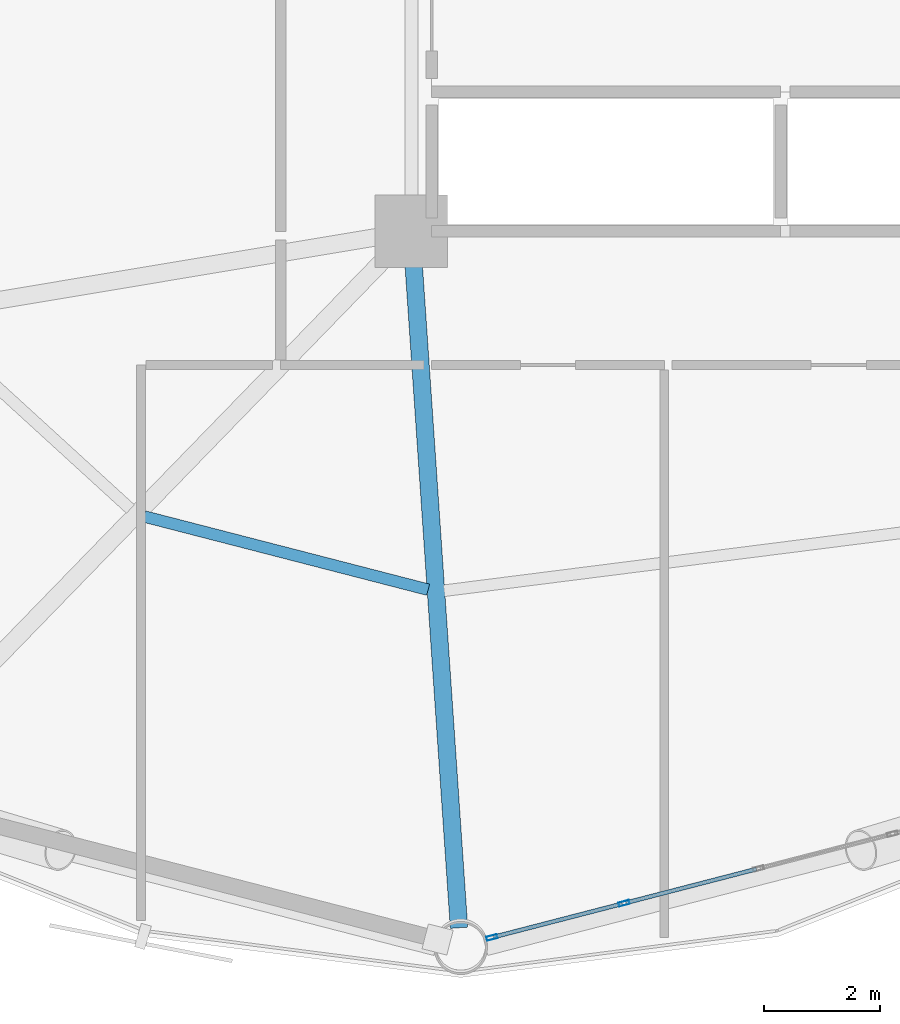
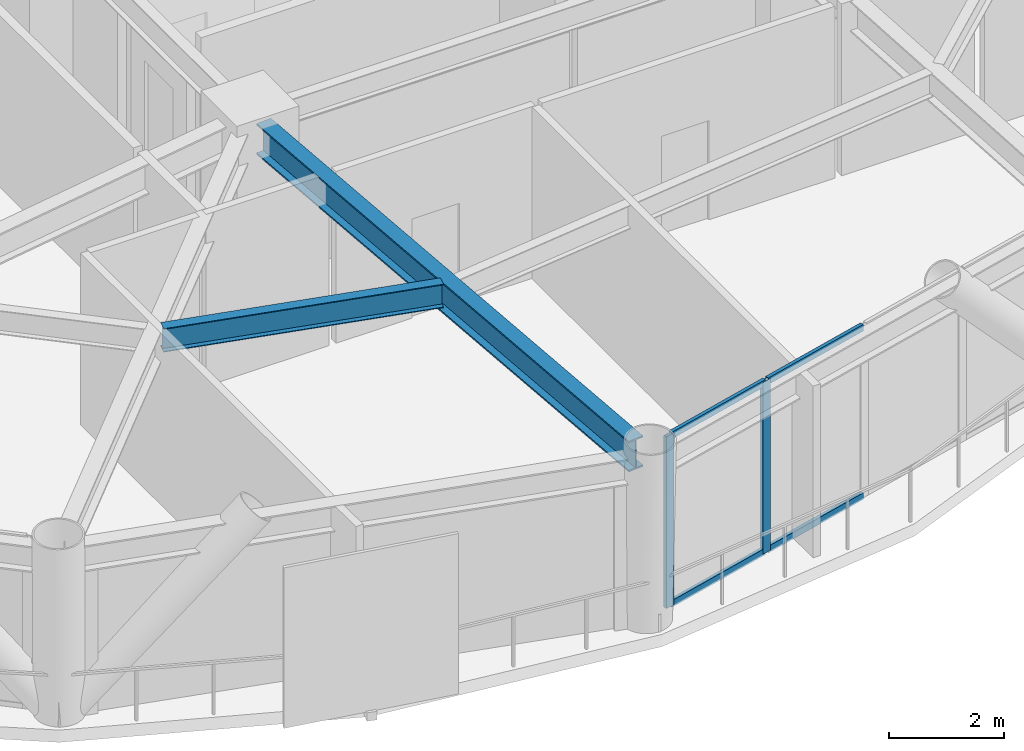
# One storey, part 7 of 25: 6 members, 2 beams, 1 element without a shape of its own.
"""IFC4 building model written with IfcOpenShell, lengths in metres."""

from ifc_helpers import new_model, si_unit, direction, frame, origin, origin_2d, place, context, subcontext, project, spatial, hollow_rectangle, i_section, extrude, material, layer, layer_set, material_profile, profile_set, type_object, element, aggregate, save


model = new_model("IFC4")

# Units and contexts
model_context = context("Model", 3, precision=1e-05, world=origin(), true_north=direction((0.0, 1.0)))
body_context = subcontext(model_context, "Body", "Model", "MODEL_VIEW")
ifc_project = project(units=[si_unit("LENGTHUNIT", "METRE"), si_unit("AREAUNIT", "SQUARE_METRE"), si_unit("VOLUMEUNIT", "CUBIC_METRE"), si_unit("PLANEANGLEUNIT", "RADIAN"), si_unit("MASSUNIT", "GRAM", prefix="KILO")], contexts=[model_context])

# Site, building, storey
site_placement = place(None, origin())
site = spatial("IfcSite", under=ifc_project, at=site_placement, CompositionType="ELEMENT")
building_placement = place(site_placement, origin())
building = spatial("IfcBuilding", under=site, at=building_placement, Name="Varnakorn Sky Granary", CompositionType="ELEMENT")
storey_placement = place(building_placement, frame((0.0, 0.0, 39.300048828125)))
storey = spatial("IfcBuildingStorey", under=building, at=storey_placement, Name="L09", CompositionType="ELEMENT", Elevation=39.300048828125)

# Beams
ifc_material_1 = material(Name="Steel S355JR", Category="steel")
ifc_material_profile_1 = material_profile(ifc_material_1, i_section(OverallWidth=0.300048828125, OverallDepth=0.64990234375, WebThickness=0.01611328125, FlangeThickness=0.031005859375, at=origin_2d()), Name="HE 650 B")
ifc_profile_set_1 = profile_set([ifc_material_profile_1], Name="Steel S355JR")
beam_type_1 = type_object("IfcBeamType", Name="BM-RAD-Z1", PredefinedType="BEAM", material=ifc_profile_set_1)
beam_1_placement = place(storey_placement, frame((-2.3212890625, -7.01904296875, 3.31494140625), z_axis=(0.068274153054, -0.997666597629, 0.0), x_axis=(0.997666597629, 0.068274153054, 0.0)))
element("IfcBeam", 1, at=beam_1_placement, inside=storey, type_object=beam_type_1, Name="Radial Floor Girder RG10 L09", PredefinedType="BEAM", context=body_context, shape_type="SweptSolid", body=[
    extrude(i_section(OverallWidth=0.300048828125, OverallDepth=0.64990234375, WebThickness=0.01611328125, FlangeThickness=0.031005859375, at=origin_2d()), origin(), (0.0, 0.0, 1.0), 11.5859375),
])
ifc_material_profile_2 = material_profile(ifc_material_1, i_section(OverallWidth=0.199951171875, OverallDepth=0.5, WebThickness=0.01025390625, FlangeThickness=0.01611328125, at=origin_2d()), Name="IPE 500")
ifc_profile_set_2 = profile_set([ifc_material_profile_2], Name="Steel S355JR")
beam_type_2 = type_object("IfcBeamType", Name="BM-SEC-Z1", PredefinedType="BEAM", material=ifc_profile_set_2)
beam_2_placement = place(storey_placement, frame((-6.943603515625, -11.504150390625, 3.389892578125), z_axis=(0.968309816191, -0.249752076803, 0.0), x_axis=(0.249752076803, 0.968309816191, 0.0)))
element("IfcBeam", 2, at=beam_2_placement, inside=storey, type_object=beam_type_2, Name="Secondary Floor Chord Beam MSB09 L09", PredefinedType="BEAM", context=body_context, shape_type="SweptSolid", body=[
    extrude(i_section(OverallWidth=0.199951171875, OverallDepth=0.5, WebThickness=0.01025390625, FlangeThickness=0.01611328125, at=origin_2d()), origin(), (0.0, 0.0, 1.0), 5.0419921875),
])

# Curtain wall, members
ifc_material_2 = material(Name="Anodised Bronze Aluminium Alloy 6063-T6", Category="aluminium")
ifc_layer = layer(ifc_material_2, 0.18994140625, Name="Anodised Bronze Aluminium Alloy 6063-T6")
ifc_layer_set = layer_set([ifc_layer], Name="Anodised Bronze Aluminium Alloy 6063-T6")
curtain_wall_type = type_object("IfcCurtainWallType", Name="CW-FRM-1", PredefinedType="USERDEFINED", material=ifc_layer_set)
curtain_wall_placement = place(storey_placement, origin())
curtain_wall = element("IfcCurtainWall", 3, at=curtain_wall_placement, inside=storey, type_object=curtain_wall_type, Name="Unitised Curtain Wall CW3 CW-L09-B10", ObjectType="CURTAIN WALL", PredefinedType="USERDEFINED")
ifc_material_profile_3 = material_profile(ifc_material_2, hollow_rectangle(XDim=0.070068359375, YDim=0.18505859375, WallThickness=0.00390625, at=origin_2d()), Name="ALU MULL 70x185")
ifc_profile_set_3 = profile_set([ifc_material_profile_3], Name="Anodised Bronze Aluminium Alloy 6063-T6")
member_type_1 = type_object("IfcMemberType", Name="CW-FRM-1-MULL", PredefinedType="MULLION", material=ifc_profile_set_3)
member_1_placement = place(storey_placement, frame((1.30908203125, -18.156494140625, 0.0), z_axis=(0.0, 0.0, 1.0), x_axis=(0.250359949128, -0.968152826713, 0.0)))
member_1 = element("IfcMember", 4, at=member_1_placement, type_object=member_type_1, Name="CW3 mullion 4", PredefinedType="MULLION", context=body_context, shape_type="SweptSolid", body=[
    extrude(hollow_rectangle(XDim=0.070068359375, YDim=0.18505859375, WallThickness=0.00390625, at=origin_2d()), origin(), (0.0, 0.0, 1.0), 3.639892578125),
])
member_2_placement = place(storey_placement, frame((-0.965576171875, -18.744873046875, 0.0), z_axis=(0.0, 0.0, 1.0), x_axis=(0.250359949128, -0.968152826713, 0.0)))
member_2 = element("IfcMember", 5, at=member_2_placement, type_object=member_type_1, Name="CW3 mullion 5", PredefinedType="MULLION", context=body_context, shape_type="SweptSolid", body=[
    extrude(hollow_rectangle(XDim=0.070068359375, YDim=0.18505859375, WallThickness=0.00390625, at=origin_2d()), origin(), (0.0, 0.0, 1.0), 3.639892578125),
])
ifc_material_profile_4 = material_profile(ifc_material_2, hollow_rectangle(XDim=0.070068359375, YDim=0.139892578125, WallThickness=0.00341796875, at=origin_2d()), Name="ALU TRAN 70x140")
ifc_profile_set_4 = profile_set([ifc_material_profile_4], Name="Anodised Bronze Aluminium Alloy 6063-T6")
member_type_2 = type_object("IfcMemberType", Name="CW-FRM-1-TRAN", PredefinedType="USERDEFINED", material=ifc_profile_set_4)
member_3_placement = place(storey_placement, frame((3.583984375, -17.568359375, 0.034912109375), z_axis=(-0.968143825791, -0.250394753506, 0.0), x_axis=(0.250394753506, -0.968143825791, 0.0)))
member_3 = element("IfcMember", 6, at=member_3_placement, type_object=member_type_2, Name="CW3 transom 3.1", ObjectType="TRANSOM", PredefinedType="USERDEFINED", context=body_context, shape_type="SweptSolid", body=[
    extrude(hollow_rectangle(XDim=0.070068359375, YDim=0.139892578125, WallThickness=0.00341796875, at=origin_2d()), origin(), (0.0, 0.0, 1.0), 2.314697265625),
])
member_4_placement = place(storey_placement, frame((3.583984375, -17.568359375, 3.60498046875), z_axis=(-0.968143825791, -0.250394753506, 0.0), x_axis=(0.250394753506, -0.968143825791, 0.0)))
member_4 = element("IfcMember", 7, at=member_4_placement, type_object=member_type_2, Name="CW3 transom 3.2", ObjectType="TRANSOM", PredefinedType="USERDEFINED", context=body_context, shape_type="SweptSolid", body=[
    extrude(hollow_rectangle(XDim=0.070068359375, YDim=0.139892578125, WallThickness=0.00341796875, at=origin_2d()), origin(), (0.0, 0.0, 1.0), 2.314697265625),
])
member_5_placement = place(storey_placement, frame((1.275146484375, -18.165283203125, 0.034912109375), z_axis=(-0.968138405776, -0.250415708895, 0.0), x_axis=(0.250415708895, -0.968138405776, 0.0)))
member_5 = element("IfcMember", 8, at=member_5_placement, type_object=member_type_2, Name="CW3 transom 4.1", ObjectType="TRANSOM", PredefinedType="USERDEFINED", context=body_context, shape_type="SweptSolid", body=[
    extrude(hollow_rectangle(XDim=0.070068359375, YDim=0.139892578125, WallThickness=0.00341796875, at=origin_2d()), origin(), (0.0, 0.0, 1.0), 2.279296875),
])
member_6_placement = place(storey_placement, frame((1.275146484375, -18.165283203125, 3.60498046875), z_axis=(-0.968138405776, -0.250415708895, 0.0), x_axis=(0.250415708895, -0.968138405776, 0.0)))
member_6 = element("IfcMember", 9, at=member_6_placement, type_object=member_type_2, Name="CW3 transom 4.2", ObjectType="TRANSOM", PredefinedType="USERDEFINED", context=body_context, shape_type="SweptSolid", body=[
    extrude(hollow_rectangle(XDim=0.070068359375, YDim=0.139892578125, WallThickness=0.00341796875, at=origin_2d()), origin(), (0.0, 0.0, 1.0), 2.279296875),
])
aggregate(curtain_wall, [member_1, member_2, member_3, member_4, member_5, member_6])

save(model, "model.ifc")
